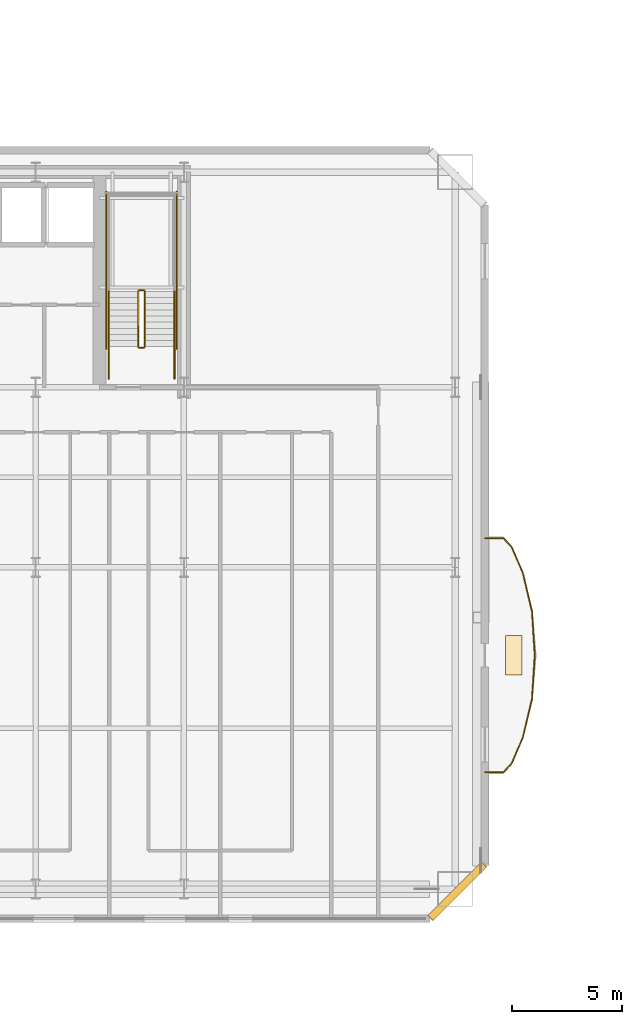
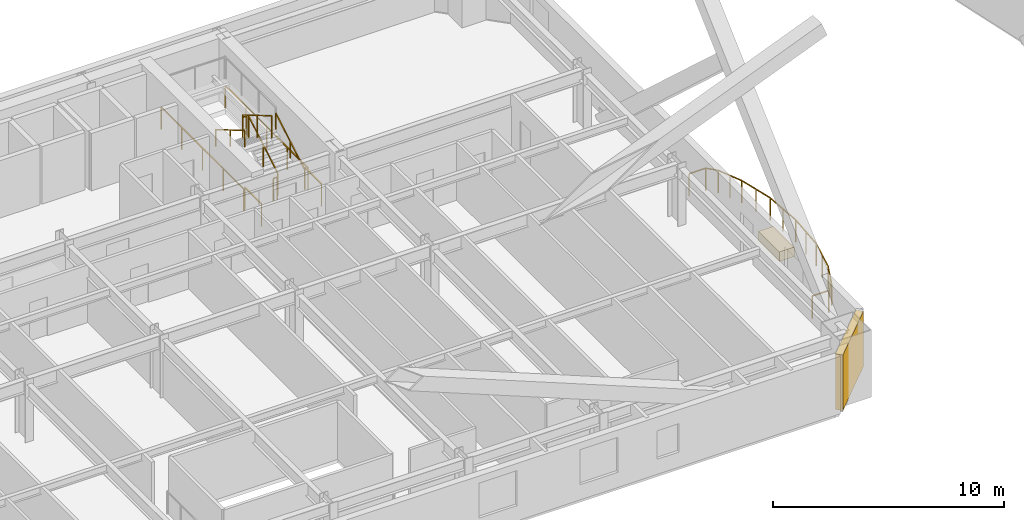
# One storey, part 15 of 20: 20 railings, 1 covering, 1 shading device.
"""IFC4 building model written with IfcOpenShell, lengths in metres."""

from ifc_helpers import new_model, si_unit, direction, frame, origin, origin_2d, place, context, subcontext, project, spatial, rectangle, extrude, material, layer, layer_set, type_object, element, save


model = new_model("IFC4")

# Units and contexts
model_context = context("Model", 3, precision=1e-05, world=origin(), true_north=direction((0.0, 1.0)))
body_context = subcontext(model_context, "Body", "Model", "MODEL_VIEW")
ifc_project = project(units=[si_unit("LENGTHUNIT", "METRE"), si_unit("AREAUNIT", "SQUARE_METRE"), si_unit("VOLUMEUNIT", "CUBIC_METRE"), si_unit("PLANEANGLEUNIT", "RADIAN"), si_unit("MASSUNIT", "GRAM", prefix="KILO")], contexts=[model_context])

# Site, building, storey
site_placement = place(None, origin())
site = spatial("IfcSite", under=ifc_project, at=site_placement, CompositionType="ELEMENT")
building_placement = place(site_placement, origin())
building = spatial("IfcBuilding", under=site, at=building_placement, Name="Haevon Station Towers", CompositionType="ELEMENT")
storey_placement = place(building_placement, frame((0.0, 0.0, 30.60009765625)))
storey = spatial("IfcBuildingStorey", under=building, at=storey_placement, Name="L06", CompositionType="ELEMENT", Elevation=30.60009765625)

# Railings
ifc_material_1 = material(Name="Steel S355", Category="steel")
railing_type_1 = type_object("IfcRailingType", Name="GRD-EXT1200", PredefinedType="GUARDRAIL", material=ifc_material_1)
railing_1_placement = place(storey_placement, frame((64.723876953125, 20.677734375, 0.0)))
element("IfcRailing", 1, at=railing_1_placement, inside=storey, type_object=railing_type_1, Name="L06 Perimeter Guardrail 1", PredefinedType="GUARDRAIL", context=body_context, shape_type="SweptSolid", body=[
    extrude(rectangle(XDim=0.048095703125, YDim=0.048095703125, at=origin_2d()), frame((0.0, 0.0, 1.17578125), z_axis=(0.999997283225, 0.002330995998, 0.0), x_axis=(-0.002330995998, 0.999997283225, 0.0)), (0.0, 0.0, 1.0), 0.837890625),
    extrude(rectangle(XDim=0.0419921875, YDim=0.0419921875, at=origin_2d()), origin(), (0.0, 0.0, 1.0), 1.15185546875),
    extrude(rectangle(XDim=0.0419921875, YDim=0.0419921875, at=origin_2d()), frame((0.837890625, 0.001953125, 0.0)), (0.0, 0.0, 1.0), 1.15185546875),
])
railing_2_placement = place(storey_placement, frame((65.561767578125, 20.6796875, 0.0)))
element("IfcRailing", 2, at=railing_2_placement, inside=storey, type_object=railing_type_1, Name="L06 Perimeter Guardrail 2", PredefinedType="GUARDRAIL", context=body_context, shape_type="SweptSolid", body=[
    extrude(rectangle(XDim=0.048095703125, YDim=0.048095703125, at=origin_2d()), frame((0.0, 0.0, 1.17578125), z_axis=(0.676061194254, 0.736845480154, 0.0), x_axis=(-0.736845480154, 0.676061194254, 0.0)), (0.0, 0.0, 1.0), 0.558349609375),
    extrude(rectangle(XDim=0.0419921875, YDim=0.0419921875, at=origin_2d()), origin(), (0.0, 0.0, 1.0), 1.15185546875),
    extrude(rectangle(XDim=0.0419921875, YDim=0.0419921875, at=origin_2d()), frame((0.37744140625, 0.411376953125, 0.0)), (0.0, 0.0, 1.0), 1.15185546875),
])
railing_3_placement = place(storey_placement, frame((65.939208984375, 21.091064453125, 0.0)))
element("IfcRailing", 3, at=railing_3_placement, inside=storey, type_object=railing_type_1, Name="L06 Perimeter Guardrail 3", PredefinedType="GUARDRAIL", context=body_context, shape_type="SweptSolid", body=[
    extrude(rectangle(XDim=0.048095703125, YDim=0.048095703125, at=origin_2d()), frame((0.0, 0.0, 1.17578125), z_axis=(0.39299272826, 0.919541579014, 0.0), x_axis=(-0.919541579014, 0.39299272826, 0.0)), (0.0, 0.0, 1.0), 1.272216796875),
    extrude(rectangle(XDim=0.0419921875, YDim=0.0419921875, at=origin_2d()), origin(), (0.0, 0.0, 1.0), 1.15185546875),
    extrude(rectangle(XDim=0.0419921875, YDim=0.0419921875, at=origin_2d()), frame((0.25, 0.5849609375, 0.0)), (0.0, 0.0, 1.0), 1.15185546875),
    extrude(rectangle(XDim=0.0419921875, YDim=0.0419921875, at=origin_2d()), frame((0.5, 1.169921875, 0.0)), (0.0, 0.0, 1.0), 1.15185546875),
])
railing_4_placement = place(storey_placement, frame((66.439208984375, 22.260986328125, 0.0)))
element("IfcRailing", 4, at=railing_4_placement, inside=storey, type_object=railing_type_1, Name="L06 Perimeter Guardrail 4", PredefinedType="GUARDRAIL", context=body_context, shape_type="SweptSolid", body=[
    extrude(rectangle(XDim=0.048095703125, YDim=0.048095703125, at=origin_2d()), frame((0.0, 0.0, 1.17578125), z_axis=(0.230320614681, 0.973114800244, 0.0), x_axis=(-0.973114800244, 0.230320614681, 0.0)), (0.0, 0.0, 1.0), 1.794677734375),
    extrude(rectangle(XDim=0.0419921875, YDim=0.0419921875, at=origin_2d()), origin(), (0.0, 0.0, 1.0), 1.15185546875),
    extrude(rectangle(XDim=0.0419921875, YDim=0.0419921875, at=origin_2d()), frame((0.20654296875, 0.873046875, 0.0)), (0.0, 0.0, 1.0), 1.15185546875),
    extrude(rectangle(XDim=0.0419921875, YDim=0.0419921875, at=origin_2d()), frame((0.413330078125, 1.746337890625, 0.0)), (0.0, 0.0, 1.0), 1.15185546875),
])
railing_5_placement = place(storey_placement, frame((66.8525390625, 24.00732421875, 0.0)))
element("IfcRailing", 5, at=railing_5_placement, inside=storey, type_object=railing_type_1, Name="L06 Perimeter Guardrail 5", PredefinedType="GUARDRAIL", context=body_context, shape_type="SweptSolid", body=[
    extrude(rectangle(XDim=0.048095703125, YDim=0.048095703125, at=origin_2d()), frame((0.0, 0.0, 1.17578125), z_axis=(0.063215626586, 0.997999892062, 0.0), x_axis=(-0.997999892062, 0.063215626586, 0.0)), (0.0, 0.0, 1.0), 1.99658203125),
    extrude(rectangle(XDim=0.0419921875, YDim=0.0419921875, at=origin_2d()), origin(), (0.0, 0.0, 1.0), 1.15185546875),
    extrude(rectangle(XDim=0.0419921875, YDim=0.0419921875, at=origin_2d()), frame((0.06298828125, 0.996337890625, 0.0)), (0.0, 0.0, 1.0), 1.15185546875),
    extrude(rectangle(XDim=0.0419921875, YDim=0.0419921875, at=origin_2d()), frame((0.126220703125, 1.99267578125, 0.0)), (0.0, 0.0, 1.0), 1.15185546875),
])
railing_6_placement = place(storey_placement, frame((66.978759765625, 26.0, 0.0)))
element("IfcRailing", 6, at=railing_6_placement, inside=storey, type_object=railing_type_1, Name="L06 Perimeter Guardrail 6", PredefinedType="GUARDRAIL", context=body_context, shape_type="SweptSolid", body=[
    extrude(rectangle(XDim=0.048095703125, YDim=0.048095703125, at=origin_2d()), frame((0.0, 0.0, 1.17578125), z_axis=(-0.063215626586, 0.997999892062, 0.0), x_axis=(-0.997999892062, -0.063215626586, 0.0)), (0.0, 0.0, 1.0), 1.99658203125),
    extrude(rectangle(XDim=0.0419921875, YDim=0.0419921875, at=origin_2d()), origin(), (0.0, 0.0, 1.0), 1.15185546875),
    extrude(rectangle(XDim=0.0419921875, YDim=0.0419921875, at=origin_2d()), frame((-0.06298828125, 0.996337890625, 0.0)), (0.0, 0.0, 1.0), 1.15185546875),
    extrude(rectangle(XDim=0.0419921875, YDim=0.0419921875, at=origin_2d()), frame((-0.126220703125, 1.99267578125, 0.0)), (0.0, 0.0, 1.0), 1.15185546875),
])
railing_7_placement = place(storey_placement, frame((66.8525390625, 27.99267578125, 0.0)))
element("IfcRailing", 7, at=railing_7_placement, inside=storey, type_object=railing_type_1, Name="L06 Perimeter Guardrail 7", PredefinedType="GUARDRAIL", context=body_context, shape_type="SweptSolid", body=[
    extrude(rectangle(XDim=0.048095703125, YDim=0.048095703125, at=origin_2d()), frame((0.0, 0.0, 1.17578125), z_axis=(-0.230320614681, 0.973114800244, 0.0), x_axis=(-0.973114800244, -0.230320614681, 0.0)), (0.0, 0.0, 1.0), 1.794677734375),
    extrude(rectangle(XDim=0.0419921875, YDim=0.0419921875, at=origin_2d()), origin(), (0.0, 0.0, 1.0), 1.15185546875),
    extrude(rectangle(XDim=0.0419921875, YDim=0.0419921875, at=origin_2d()), frame((-0.20654296875, 0.873046875, 0.0)), (0.0, 0.0, 1.0), 1.15185546875),
    extrude(rectangle(XDim=0.0419921875, YDim=0.0419921875, at=origin_2d()), frame((-0.413330078125, 1.746337890625, 0.0)), (0.0, 0.0, 1.0), 1.15185546875),
])
railing_8_placement = place(storey_placement, frame((66.439208984375, 29.739013671875, 0.0)))
element("IfcRailing", 8, at=railing_8_placement, inside=storey, type_object=railing_type_1, Name="L06 Perimeter Guardrail 8", PredefinedType="GUARDRAIL", context=body_context, shape_type="SweptSolid", body=[
    extrude(rectangle(XDim=0.048095703125, YDim=0.048095703125, at=origin_2d()), frame((0.0, 0.0, 1.17578125), z_axis=(-0.39299272826, 0.919541579014, 0.0), x_axis=(-0.919541579014, -0.39299272826, 0.0)), (0.0, 0.0, 1.0), 1.272216796875),
    extrude(rectangle(XDim=0.0419921875, YDim=0.0419921875, at=origin_2d()), origin(), (0.0, 0.0, 1.0), 1.15185546875),
    extrude(rectangle(XDim=0.0419921875, YDim=0.0419921875, at=origin_2d()), frame((-0.25, 0.5849609375, 0.0)), (0.0, 0.0, 1.0), 1.15185546875),
    extrude(rectangle(XDim=0.0419921875, YDim=0.0419921875, at=origin_2d()), frame((-0.5, 1.169921875, 0.0)), (0.0, 0.0, 1.0), 1.15185546875),
])
railing_9_placement = place(storey_placement, frame((65.939208984375, 30.908935546875, 0.0)))
element("IfcRailing", 9, at=railing_9_placement, inside=storey, type_object=railing_type_1, Name="L06 Perimeter Guardrail 9", PredefinedType="GUARDRAIL", context=body_context, shape_type="SweptSolid", body=[
    extrude(rectangle(XDim=0.048095703125, YDim=0.048095703125, at=origin_2d()), frame((0.0, 0.0, 1.17578125), z_axis=(-0.676061194254, 0.736845480154, 0.0), x_axis=(-0.736845480154, -0.676061194254, 0.0)), (0.0, 0.0, 1.0), 0.558349609375),
    extrude(rectangle(XDim=0.0419921875, YDim=0.0419921875, at=origin_2d()), origin(), (0.0, 0.0, 1.0), 1.15185546875),
    extrude(rectangle(XDim=0.0419921875, YDim=0.0419921875, at=origin_2d()), frame((-0.37744140625, 0.411376953125, 0.0)), (0.0, 0.0, 1.0), 1.15185546875),
])
railing_10_placement = place(storey_placement, frame((65.561767578125, 31.3203125, 0.0)))
element("IfcRailing", 10, at=railing_10_placement, inside=storey, type_object=railing_type_1, Name="L06 Perimeter Guardrail 10", PredefinedType="GUARDRAIL", context=body_context, shape_type="SweptSolid", body=[
    extrude(rectangle(XDim=0.048095703125, YDim=0.048095703125, at=origin_2d()), frame((0.0, 0.0, 1.17578125), z_axis=(-0.999997283225, 0.002330995998, 0.0), x_axis=(-0.002330995998, -0.999997283225, 0.0)), (0.0, 0.0, 1.0), 0.837890625),
    extrude(rectangle(XDim=0.0419921875, YDim=0.0419921875, at=origin_2d()), origin(), (0.0, 0.0, 1.0), 1.15185546875),
    extrude(rectangle(XDim=0.0419921875, YDim=0.0419921875, at=origin_2d()), frame((-0.837890625, 0.001953125, 0.0)), (0.0, 0.0, 1.0), 1.15185546875),
])
railing_type_2 = type_object("IfcRailingType", Name="GRD-STR1200", PredefinedType="GUARDRAIL", material=ifc_material_1)
railing_11_placement = place(storey_placement, frame((49.219970703125, 40.050048828125, 0.164794921875)))
element("IfcRailing", 11, at=railing_11_placement, inside=storey, type_object=railing_type_2, Name="L06 ST2 Stair Guard 1", PredefinedType="GUARDRAIL", context=body_context, shape_type="SweptSolid", body=[
    extrude(rectangle(XDim=0.048095703125, YDim=0.048095703125, at=origin_2d()), frame((0.0, 0.0, 1.17578125), z_axis=(0.0, 0.86152411907, 0.507716645641), x_axis=(-1.0, 0.0, 0.0)), (0.0, 0.0, 1.0), 2.925048828125),
    extrude(rectangle(XDim=0.0419921875, YDim=0.0419921875, at=origin_2d()), origin(), (0.0, 0.0, 1.0), 1.15185546875),
    extrude(rectangle(XDim=0.0419921875, YDim=0.0419921875, at=origin_2d()), frame((0.0, 1.260009765625, 0.74267578125)), (0.0, 0.0, 1.0), 1.15185546875),
    extrude(rectangle(XDim=0.0419921875, YDim=0.0419921875, at=origin_2d()), frame((0.0, 2.52001953125, 1.485107421875)), (0.0, 0.0, 1.0), 1.15185546875),
])
railing_12_placement = place(storey_placement, frame((49.169921875, 42.6201171875, 1.64990234375)))
element("IfcRailing", 12, at=railing_12_placement, inside=storey, type_object=railing_type_2, Name="L06 ST2 Stair Guard 2", PredefinedType="GUARDRAIL", context=body_context, shape_type="SweptSolid", body=[
    extrude(rectangle(XDim=0.048095703125, YDim=0.048095703125, at=origin_2d()), frame((0.0, 0.0, 1.17578125), z_axis=(-1.0, 0.0, 0.0), x_axis=(0.0, -1.0, 0.0)), (0.0, 0.0, 1.0), 0.199951171875),
    extrude(rectangle(XDim=0.0419921875, YDim=0.0419921875, at=origin_2d()), origin(), (0.0, 0.0, 1.0), 1.15185546875),
    extrude(rectangle(XDim=0.0419921875, YDim=0.0419921875, at=origin_2d()), frame((-0.199951171875, 0.0, 0.0)), (0.0, 0.0, 1.0), 1.15185546875),
])
railing_13_placement = place(storey_placement, frame((48.919921875, 42.570068359375, 1.81494140625)))
element("IfcRailing", 13, at=railing_13_placement, inside=storey, type_object=railing_type_2, Name="L06 ST2 Stair Guard 6", PredefinedType="GUARDRAIL", context=body_context, shape_type="SweptSolid", body=[
    extrude(rectangle(XDim=0.048095703125, YDim=0.048095703125, at=origin_2d()), frame((0.0, 0.0, 1.17578125), z_axis=(0.0, -0.861560626758, 0.507654692109), x_axis=(1.0, 0.0, 0.0)), (0.0, 0.0, 1.0), 2.925048828125),
    extrude(rectangle(XDim=0.0419921875, YDim=0.0419921875, at=origin_2d()), origin(), (0.0, 0.0, 1.0), 1.15185546875),
    extrude(rectangle(XDim=0.0419921875, YDim=0.0419921875, at=origin_2d()), frame((0.0, -1.260009765625, 0.742431640625)), (0.0, 0.0, 1.0), 1.15185546875),
    extrude(rectangle(XDim=0.0419921875, YDim=0.0419921875, at=origin_2d()), frame((0.0, -2.52001953125, 1.48486328125)), (0.0, 0.0, 1.0), 1.15185546875),
])
railing_14_placement = place(storey_placement, frame((49.169921875, 40.0, 0.0)))
element("IfcRailing", 14, at=railing_14_placement, inside=storey, type_object=railing_type_2, Name="L06 ST2 Stair Guard 7", PredefinedType="GUARDRAIL", context=body_context, shape_type="SweptSolid", body=[
    extrude(rectangle(XDim=0.048095703125, YDim=0.048095703125, at=origin_2d()), frame((0.0, 0.0, 1.17578125), z_axis=(-1.0, 0.0, 0.0), x_axis=(0.0, -1.0, 0.0)), (0.0, 0.0, 1.0), 0.199951171875),
    extrude(rectangle(XDim=0.0419921875, YDim=0.0419921875, at=origin_2d()), origin(), (0.0, 0.0, 1.0), 1.15185546875),
    extrude(rectangle(XDim=0.0419921875, YDim=0.0419921875, at=origin_2d()), frame((-0.199951171875, 0.0, 0.0)), (0.0, 0.0, 1.0), 1.15185546875),
])
for number, where, name in (
    (15, (50.570068359375, 38.60009765625, 0.0), "L06 ST2 Stair Guard 8"),
    (16, (47.570068359375, 38.60009765625, 0.0), "L06 ST2 Stair Guard 9"),
):
    element("IfcRailing", number, at=place(storey_placement, frame(where)), inside=storey, type_object=railing_type_2, Name=name, PredefinedType="GUARDRAIL", context=body_context, shape_type="SweptSolid", body=[
        extrude(rectangle(XDim=0.048095703125, YDim=0.048095703125, at=origin_2d()), frame((0.0, 0.0, 1.17578125), z_axis=(0.0, 1.0, 0.0), x_axis=(-1.0, 0.0, 0.0)), (0.0, 0.0, 1.0), 1.449951171875),
        extrude(rectangle(XDim=0.0419921875, YDim=0.0419921875, at=origin_2d()), origin(), (0.0, 0.0, 1.0), 1.15185546875),
        extrude(rectangle(XDim=0.0419921875, YDim=0.0419921875, at=origin_2d()), frame((0.0, 1.449951171875, 0.0)), (0.0, 0.0, 1.0), 1.15185546875),
    ])
for number, where, name in (
    (17, (50.669921875, 39.949951171875, 0.0), "L06 ST2 Stair Guard 10"),
    (18, (47.469970703125, 39.949951171875, 0.0), "L06 ST2 Stair Guard 11"),
):
    element("IfcRailing", number, at=place(storey_placement, frame(where)), inside=storey, type_object=railing_type_2, Name=name, PredefinedType="GUARDRAIL", context=body_context, shape_type="SweptSolid", body=[
        extrude(rectangle(XDim=0.048095703125, YDim=0.048095703125, at=origin_2d()), frame((0.0, 0.0, 1.17578125), z_axis=(0.0, 1.0, 0.0), x_axis=(-1.0, 0.0, 0.0)), (0.0, 0.0, 1.0), 7.150146484375),
        extrude(rectangle(XDim=0.0419921875, YDim=0.0419921875, at=origin_2d()), origin(), (0.0, 0.0, 1.0), 1.15185546875),
        extrude(rectangle(XDim=0.0419921875, YDim=0.0419921875, at=origin_2d()), frame((0.0, 1.78759765625, 0.0)), (0.0, 0.0, 1.0), 1.15185546875),
        extrude(rectangle(XDim=0.0419921875, YDim=0.0419921875, at=origin_2d()), frame((0.0, 3.5751953125, 0.0)), (0.0, 0.0, 1.0), 1.15185546875),
        extrude(rectangle(XDim=0.0419921875, YDim=0.0419921875, at=origin_2d()), frame((0.0, 5.362548828125, 0.0)), (0.0, 0.0, 1.0), 1.15185546875),
        extrude(rectangle(XDim=0.0419921875, YDim=0.0419921875, at=origin_2d()), frame((0.0, 7.150146484375, 0.0)), (0.0, 0.0, 1.0), 1.15185546875),
    ])
railing_type_3 = type_object("IfcRailingType", Name="HND-STR900", PredefinedType="HANDRAIL", material=ifc_material_1)
railing_15_placement = place(storey_placement, frame((50.570068359375, 40.050048828125, 0.164794921875)))
element("IfcRailing", 19, at=railing_15_placement, inside=storey, type_object=railing_type_3, Name="L06 ST2 Stair Handrail 1", PredefinedType="HANDRAIL", context=body_context, shape_type="SweptSolid", body=[
    extrude(rectangle(XDim=0.048095703125, YDim=0.048095703125, at=origin_2d()), frame((0.0, 0.0, 0.8759765625), z_axis=(0.0, 0.86152411907, 0.507716645641), x_axis=(-1.0, 0.0, 0.0)), (0.0, 0.0, 1.0), 2.925048828125),
    extrude(rectangle(XDim=0.0419921875, YDim=0.0419921875, at=origin_2d()), origin(), (0.0, 0.0, 1.0), 0.851806640625),
    extrude(rectangle(XDim=0.0419921875, YDim=0.0419921875, at=origin_2d()), frame((0.0, 1.260009765625, 0.74267578125)), (0.0, 0.0, 1.0), 0.851806640625),
    extrude(rectangle(XDim=0.0419921875, YDim=0.0419921875, at=origin_2d()), frame((0.0, 2.52001953125, 1.485107421875)), (0.0, 0.0, 1.0), 0.851806640625),
])
railing_16_placement = place(storey_placement, frame((47.570068359375, 42.570068359375, 1.81494140625)))
element("IfcRailing", 20, at=railing_16_placement, inside=storey, type_object=railing_type_3, Name="L06 ST2 Stair Handrail 2", PredefinedType="HANDRAIL", context=body_context, shape_type="SweptSolid", body=[
    extrude(rectangle(XDim=0.048095703125, YDim=0.048095703125, at=origin_2d()), frame((0.0, 0.0, 0.8759765625), z_axis=(0.0, -0.861560626758, 0.507654692109), x_axis=(1.0, 0.0, 0.0)), (0.0, 0.0, 1.0), 2.925048828125),
    extrude(rectangle(XDim=0.0419921875, YDim=0.0419921875, at=origin_2d()), origin(), (0.0, 0.0, 1.0), 0.851806640625),
    extrude(rectangle(XDim=0.0419921875, YDim=0.0419921875, at=origin_2d()), frame((0.0, -1.260009765625, 0.742431640625)), (0.0, 0.0, 1.0), 0.851806640625),
    extrude(rectangle(XDim=0.0419921875, YDim=0.0419921875, at=origin_2d()), frame((0.0, -2.52001953125, 1.48486328125)), (0.0, 0.0, 1.0), 0.851806640625),
])

# Covering
ifc_material_2 = material(Name="Architectural planter GRC", Category="concrete")
ifc_layer_1 = layer(ifc_material_2, 0.550048828125)
ifc_layer_set_1 = layer_set([ifc_layer_1], Name="Architectural planter GRC")
covering_type = type_object("IfcCoveringType", Name="PLN-GRC550", PredefinedType="MOLDING", material=ifc_layer_set_1)
covering_placement = place(storey_placement, frame((66.0107421875, 26.0, 0.0), z_axis=(0.0, 0.0, 1.0), x_axis=(1.0, 0.0, 0.0)))
element("IfcCovering", 21, at=covering_placement, inside=storey, type_object=covering_type, Name="Tower 1 L06 Scalloped Balcony PLANTER", PredefinedType="MOLDING", context=body_context, shape_type="SweptSolid", body=[
    extrude(rectangle(XDim=0.75, YDim=1.800048828125, at=origin_2d()), origin(), (0.0, 0.0, 1.0), 0.5),
])

# Shading device
ifc_material_3 = material(Name="Anodised aluminium 6063-T6", Category="aluminium")
ifc_layer_2 = layer(ifc_material_3, 0.139892578125)
ifc_layer_set_2 = layer_set([ifc_layer_2], Name="Anodised aluminium 6063-T6")
shading_device_type = type_object("IfcShadingDeviceType", Name="SHD-WIND-BAFFLE", PredefinedType="SHUTTER", material=ifc_layer_set_2)
shading_device_placement = place(storey_placement, frame((63.449951171875, 15.25, 0.0498046875), z_axis=(0.0, 0.0, 1.0), x_axis=(-0.707106781187, -0.707106781187, 0.0)))
element("IfcShadingDevice", 22, at=shading_device_placement, inside=storey, type_object=shading_device_type, Name="Tower 1 L06 Wind-Corner Aerofoil Baffle SEC", PredefinedType="SHUTTER", context=body_context, shape_type="SweptSolid", body=[
    extrude(rectangle(XDim=3.435546875, YDim=0.340087890625, at=origin_2d()), origin(), (0.0, 0.0, 1.0), 2.929931640625),
])

save(model, "model.ifc")
